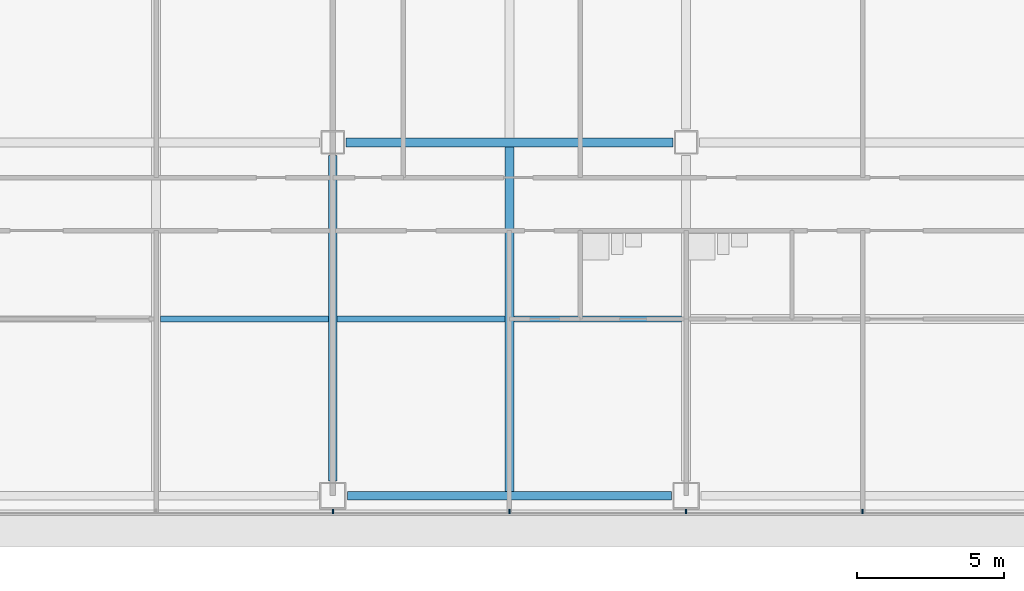
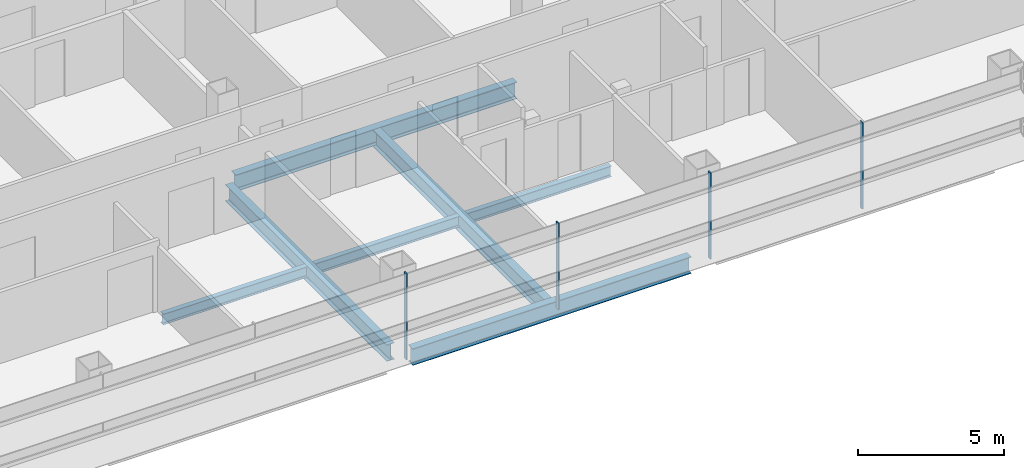
# One storey, part 8 of 27: 7 beams, 4 members, 1 element without a shape of its own.
"""IFC4 building model written with IfcOpenShell, lengths in metres."""

from ifc_helpers import new_model, si_unit, direction, frame, origin, origin_2d, place, context, subcontext, project, spatial, rectangle, i_section, extrude, material, material_profile, profile_set, type_object, element, aggregate, save


model = new_model("IFC4")

# Units and contexts
model_context = context("Model", 3, precision=1e-05, world=origin(), true_north=direction((0.0, 1.0)))
body_context = subcontext(model_context, "Body", "Model", "MODEL_VIEW")
ifc_project = project(units=[si_unit("LENGTHUNIT", "METRE"), si_unit("AREAUNIT", "SQUARE_METRE"), si_unit("VOLUMEUNIT", "CUBIC_METRE"), si_unit("PLANEANGLEUNIT", "RADIAN"), si_unit("MASSUNIT", "GRAM", prefix="KILO")], contexts=[model_context])

# Site, building, storey
site_placement = place(None, origin())
site = spatial("IfcSite", under=ifc_project, at=site_placement, CompositionType="ELEMENT")
building_placement = place(site_placement, origin())
building = spatial("IfcBuilding", under=site, at=building_placement, Name="Sorahane Residences", CompositionType="ELEMENT")
storey_placement = place(building_placement, frame((0.0, 0.0, 49.800048828125)))
storey = spatial("IfcBuildingStorey", under=building, at=storey_placement, Name="L08", CompositionType="ELEMENT", Elevation=49.800048828125)

# Curtain wall, members
ifc_material_1 = material(Name="Dark low-e glass and black anodised aluminium", Category="aluminium")
curtain_wall_type = type_object("IfcCurtainWallType", Name="Curtain wall CW-1 Typical unitised wall", PredefinedType="NOTDEFINED", material=ifc_material_1)
curtain_wall_placement = place(storey_placement, origin())
curtain_wall = element("IfcCurtainWall", 1, at=curtain_wall_placement, inside=storey, type_object=curtain_wall_type, Name="CW-1 curtain wall L08 S1", PredefinedType="NOTDEFINED")
ifc_material_2 = material(Name="Black anodised aluminium", Category="aluminium")
ifc_material_profile_1 = material_profile(ifc_material_2, rectangle(XDim=0.159912109375, YDim=0.050048828125, at=origin_2d()), Name="Curtain wall mullion CW-1 black anodised aluminium 50x160")
ifc_profile_set_1 = profile_set([ifc_material_profile_1], Name="Black anodised aluminium")
member_type = type_object("IfcMemberType", Name="Curtain wall mullion CW-1 black anodised aluminium 50x160", PredefinedType="MULLION", material=ifc_profile_set_1)
member_1_placement = place(storey_placement, frame((36.0, -0.5400390625, -0.179931640625), z_axis=(0.0, 0.0, 1.0), x_axis=(0.0, -1.0, 0.0)))
member_1 = element("IfcMember", 2, at=member_1_placement, type_object=member_type, Name="CW-1 mullion L08 S1.6", PredefinedType="MULLION", context=body_context, shape_type="SweptSolid", body=[
    extrude(rectangle(XDim=0.159912109375, YDim=0.050048828125, at=origin_2d()), origin(), (0.0, 0.0, 1.0), 3.599853515625),
])
member_2_placement = place(storey_placement, frame((42.0, -0.5400390625, -0.179931640625), z_axis=(0.0, 0.0, 1.0), x_axis=(0.0, -1.0, 0.0)))
member_2 = element("IfcMember", 3, at=member_2_placement, type_object=member_type, Name="CW-1 mullion L08 S1.7", PredefinedType="MULLION", context=body_context, shape_type="SweptSolid", body=[
    extrude(rectangle(XDim=0.159912109375, YDim=0.050048828125, at=origin_2d()), origin(), (0.0, 0.0, 1.0), 3.599853515625),
])
member_3_placement = place(storey_placement, frame((48.0, -0.5400390625, -0.179931640625), z_axis=(0.0, 0.0, 1.0), x_axis=(0.0, -1.0, 0.0)))
member_3 = element("IfcMember", 4, at=member_3_placement, type_object=member_type, Name="CW-1 mullion L08 S1.8", PredefinedType="MULLION", context=body_context, shape_type="SweptSolid", body=[
    extrude(rectangle(XDim=0.159912109375, YDim=0.050048828125, at=origin_2d()), origin(), (0.0, 0.0, 1.0), 3.599853515625),
])
member_4_placement = place(storey_placement, frame((54.0, -0.5400390625, -0.179931640625), z_axis=(0.0, 0.0, 1.0), x_axis=(0.0, -1.0, 0.0)))
member_4 = element("IfcMember", 5, at=member_4_placement, type_object=member_type, Name="CW-1 mullion L08 S1.9", PredefinedType="MULLION", context=body_context, shape_type="SweptSolid", body=[
    extrude(rectangle(XDim=0.159912109375, YDim=0.050048828125, at=origin_2d()), origin(), (0.0, 0.0, 1.0), 3.599853515625),
])
aggregate(curtain_wall, [member_1, member_2, member_3, member_4])

# Beams
ifc_material_3 = material(Name="Steel Q355B", Category="steel")
ifc_material_profile_2 = material_profile(ifc_material_3, i_section(OverallWidth=0.199951171875, OverallDepth=0.449951171875, WebThickness=0.009033203125, FlangeThickness=0.013916015625, FilletRadius=0.02001953125, at=origin_2d()), Name="HN 450x200x9x14")
ifc_profile_set_2 = profile_set([ifc_material_profile_2], Name="Steel Q355B")
beam_type_1 = type_object("IfcBeamType", Name="Steel floor beam HN 450x200x9x14 Q355B", PredefinedType="BEAM", material=ifc_profile_set_2)
for number, where, z_axis, x_axis, name in (
    (6, (30.14990234375, 6.0, -0.405029296875), (1.0, 0.0, 0.0), (0.0, 1.0, 0.0), "Beam L08 066"),
    (7, (36.14990234375, 6.0, -0.405029296875), (1.0, 0.0, 0.0), (0.0, 1.0, 0.0), "Beam L08 067"),
    (8, (42.14990234375, 6.0, -0.405029296875), (1.0, 0.0, 0.0), (0.0, 1.0, 0.0), "Beam L08 068"),
):
    element("IfcBeam", number, at=place(storey_placement, frame(where, z_axis=z_axis, x_axis=x_axis)), inside=storey, type_object=beam_type_1, Name=name, PredefinedType="BEAM", context=body_context, shape_type="SweptSolid", body=[
        extrude(i_section(OverallWidth=0.199951171875, OverallDepth=0.449951171875, WebThickness=0.009033203125, FlangeThickness=0.013916015625, FilletRadius=0.02001953125, at=origin_2d()), origin(), (0.0, 0.0, 1.0), 5.7001953125),
    ])
ifc_material_4 = material(Name="Steel Q355B", Category="steel")
ifc_material_profile_3 = material_profile(ifc_material_4, i_section(OverallWidth=0.300048828125, OverallDepth=0.699951171875, WebThickness=0.012939453125, FlangeThickness=0.02392578125, FilletRadius=0.028076171875, at=origin_2d()), Name="HN 700x300x13x24")
ifc_profile_set_3 = profile_set([ifc_material_profile_3], Name="Steel Q355B")
beam_type_2 = type_object("IfcBeamType", Name="Steel floor beam HN 700x300x13x24 Q355B", PredefinedType="BEAM", material=ifc_profile_set_3)
beam_1_placement = place(storey_placement, frame((36.5, 0.0, -0.530029296875), z_axis=(1.0, 0.0, 0.0), x_axis=(0.0, 1.0, 0.0)))
element("IfcBeam", 9, at=beam_1_placement, inside=storey, type_object=beam_type_2, Name="Beam L08 003", PredefinedType="BEAM", context=body_context, shape_type="SweptSolid", body=[
    extrude(i_section(OverallWidth=0.300048828125, OverallDepth=0.699951171875, WebThickness=0.012939453125, FlangeThickness=0.02392578125, FilletRadius=0.028076171875, at=origin_2d()), origin(), (0.0, 0.0, 1.0), 11.0),
])
beam_2_placement = place(storey_placement, frame((36.449951171875, 12.0, -0.530029296875), z_axis=(1.0, 0.0, 0.0), x_axis=(0.0, 1.0, 0.0)))
element("IfcBeam", 10, at=beam_2_placement, inside=storey, type_object=beam_type_2, Name="Beam L08 008", PredefinedType="BEAM", context=body_context, shape_type="SweptSolid", body=[
    extrude(i_section(OverallWidth=0.300048828125, OverallDepth=0.699951171875, WebThickness=0.012939453125, FlangeThickness=0.02392578125, FilletRadius=0.028076171875, at=origin_2d()), origin(), (0.0, 0.0, 1.0), 11.10009765625),
])
beam_3_placement = place(storey_placement, frame((36.0, 0.5, -0.530029296875), z_axis=(0.0, 1.0, 0.0), x_axis=(-1.0, 0.0, 0.0)))
element("IfcBeam", 11, at=beam_3_placement, inside=storey, type_object=beam_type_2, Name="Beam L08 043", PredefinedType="BEAM", context=body_context, shape_type="SweptSolid", body=[
    extrude(i_section(OverallWidth=0.300048828125, OverallDepth=0.699951171875, WebThickness=0.012939453125, FlangeThickness=0.02392578125, FilletRadius=0.028076171875, at=origin_2d()), origin(), (0.0, 0.0, 1.0), 11.050048828125),
])
beam_4_placement = place(storey_placement, frame((42.0, 0.14990234375, -0.530029296875), z_axis=(0.0, 1.0, 0.0), x_axis=(-1.0, 0.0, 0.0)))
element("IfcBeam", 12, at=beam_4_placement, inside=storey, type_object=beam_type_2, Name="Beam L08 045", PredefinedType="BEAM", context=body_context, shape_type="SweptSolid", body=[
    extrude(i_section(OverallWidth=0.300048828125, OverallDepth=0.699951171875, WebThickness=0.012939453125, FlangeThickness=0.02392578125, FilletRadius=0.028076171875, at=origin_2d()), origin(), (0.0, 0.0, 1.0), 11.7001953125),
])

save(model, "model.ifc")
